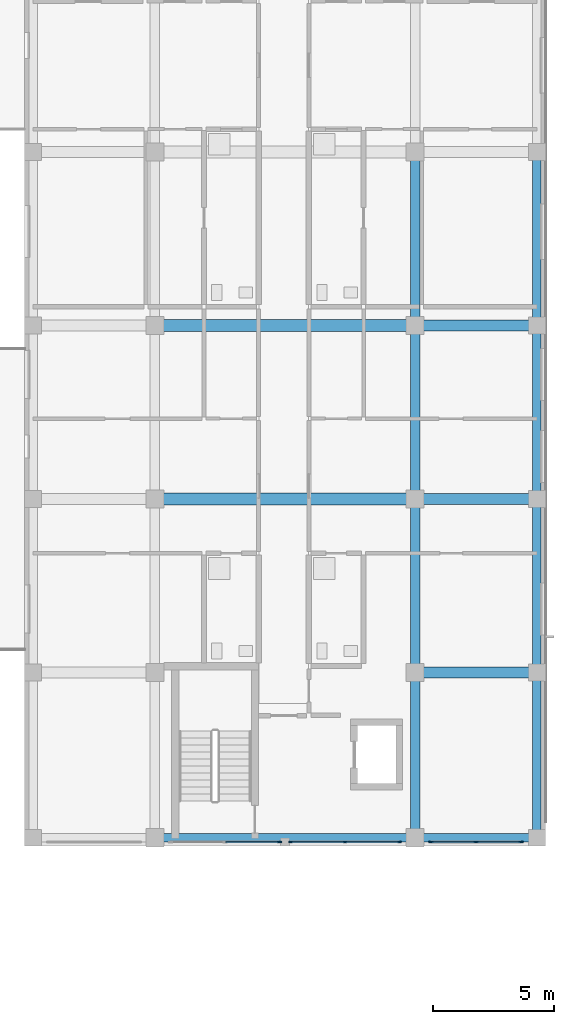
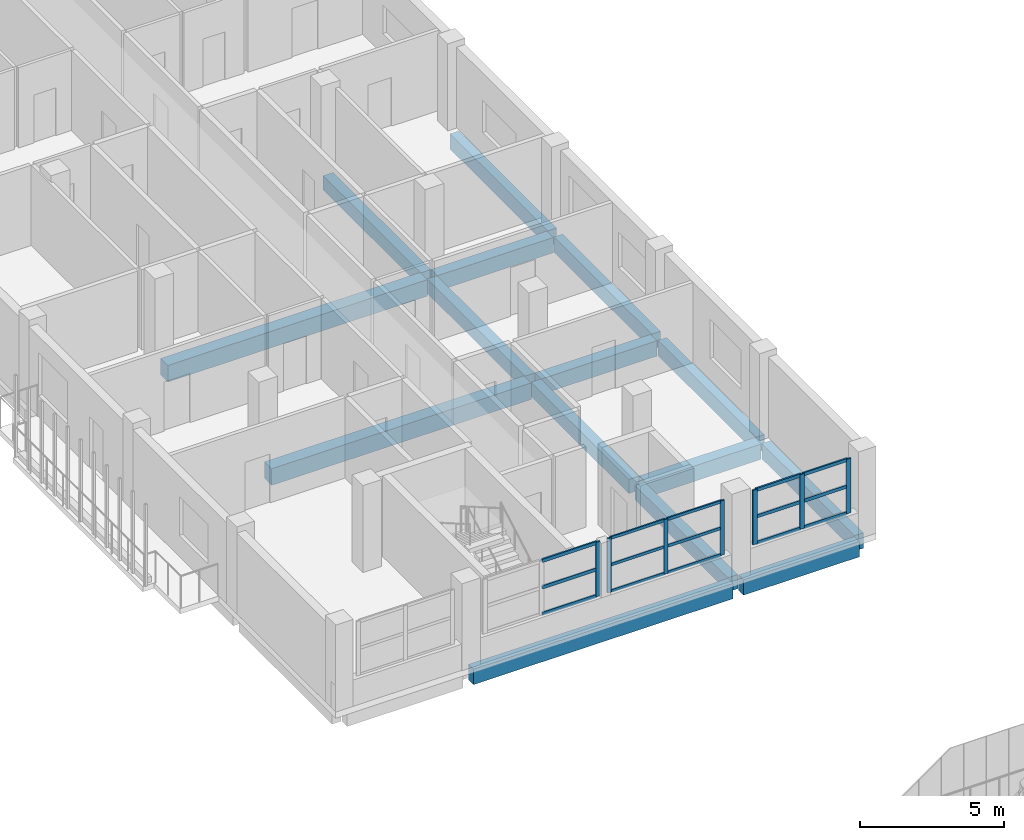
# One storey, part 26 of 73: 22 members, 15 beams, 3 elements without a shape of their own.
"""IFC4 building model written with IfcOpenShell, lengths in metres."""

from ifc_helpers import new_model, si_unit, derived_unit, direction, frame, origin, origin_2d, place, context, subcontext, project, spatial, rectangle, extrude, material, layer, layer_set, material_profile, profile_set, type_object, element, aggregate, save


model = new_model("IFC4")

# Units and contexts
model_context = context("Model", 3, precision=1e-05, world=origin(), true_north=direction((0.0, 1.0)))
body_context = subcontext(model_context, "Body", "Model", "MODEL_VIEW")
ifc_project = project(units=[si_unit("LENGTHUNIT", "METRE"), si_unit("AREAUNIT", "SQUARE_METRE"), si_unit("VOLUMEUNIT", "CUBIC_METRE"), si_unit("PLANEANGLEUNIT", "RADIAN"), si_unit("MASSUNIT", "GRAM", prefix="KILO"), derived_unit("THERMALTRANSMITTANCEUNIT", [(si_unit("MASSUNIT", "GRAM", prefix="KILO"), 1), (si_unit("TIMEUNIT", "SECOND"), -3), (si_unit("THERMODYNAMICTEMPERATUREUNIT", "KELVIN"), -1)])], contexts=[model_context])

# Site, building, storey
site_placement = place(None, origin())
site = spatial("IfcSite", under=ifc_project, at=site_placement, CompositionType="ELEMENT")
building_placement = place(site_placement, origin())
building = spatial("IfcBuilding", under=site, at=building_placement, Name="Ochrekiln Boulevard Commons", CompositionType="ELEMENT")
storey_placement = place(building_placement, frame((0.0, 0.0, 4.89990234375)))
storey = spatial("IfcBuildingStorey", under=building, at=storey_placement, Name="L01", CompositionType="ELEMENT", Elevation=4.89990234375)

# Beams
ifc_material_1 = material(Name="Concrete C35/45", Category="concrete")
ifc_material_profile_1 = material_profile(ifc_material_1, rectangle(XDim=0.39990234375, YDim=0.60009765625, at=origin_2d()), Name="RC-BM-400x600")
ifc_profile_set_1 = profile_set([ifc_material_profile_1], Name="Concrete C35/45")
beam_type_1 = type_object("IfcBeamType", Name="BM-RC-400x600", PredefinedType="BEAM", material=ifc_profile_set_1)
beam_1_placement = place(storey_placement, frame((167.39990234375, 68.9599609375, -0.559814453125), z_axis=(0.0, 1.0, 0.0), x_axis=(-1.0, 0.0, 0.0)))
element("IfcBeam", 1, at=beam_1_placement, inside=storey, type_object=beam_type_1, Name="Block B L01 Beam B-4060 Y37", PredefinedType="BEAM", context=body_context, shape_type="SweptSolid", body=[
    extrude(rectangle(XDim=0.39990234375, YDim=0.60009765625, at=origin_2d()), origin(), (0.0, 0.0, 1.0), 6.429931640625),
])
for number, where, z_axis, x_axis, name in (
    (2, (167.39990234375, 75.81005859375, -0.559814453125), (0.0, 1.0, 0.0), (-1.0, 0.0, 0.0), "Block B L01 Beam B-4060 Y38"),
    (3, (167.39990234375, 83.010009765625, -0.559814453125), (0.0, 1.0, 0.0), (-1.0, 0.0, 0.0), "Block B L01 Beam B-4060 Y39"),
    (4, (167.39990234375, 90.2099609375, -0.559814453125), (0.0, 1.0, 0.0), (-1.0, 0.0, 0.0), "Block B L01 Beam B-4060 Y40"),
):
    element("IfcBeam", number, at=place(storey_placement, frame(where, z_axis=z_axis, x_axis=x_axis)), inside=storey, type_object=beam_type_1, Name=name, PredefinedType="BEAM", context=body_context, shape_type="SweptSolid", body=[
        extrude(rectangle(XDim=0.39990234375, YDim=0.60009765625, at=origin_2d()), origin(), (0.0, 0.0, 1.0), 6.780029296875),
    ])
ifc_material_profile_2 = material_profile(ifc_material_1, rectangle(XDim=0.449951171875, YDim=0.64990234375, at=origin_2d()), Name="RC-BM-450x650")
ifc_profile_set_2 = profile_set([ifc_material_profile_2], Name="Concrete C35/45")
beam_type_2 = type_object("IfcBeamType", Name="BM-RC-450x650", PredefinedType="BEAM", material=ifc_profile_set_2)
for number, where, z_axis, x_axis, name in (
    (5, (167.610107421875, 75.60009765625, -0.5849609375), (1.0, 0.0, 0.0), (0.0, 1.0, 0.0), "Block B L01 Beam B-4565 X5"),
    (6, (167.610107421875, 82.800048828125, -0.5849609375), (1.0, 0.0, 0.0), (0.0, 1.0, 0.0), "Block B L01 Beam B-4565 X8"),
    (7, (167.610107421875, 90.0, -0.5849609375), (1.0, 0.0, 0.0), (0.0, 1.0, 0.0), "Block B L01 Beam B-4565 X11"),
):
    element("IfcBeam", number, at=place(storey_placement, frame(where, z_axis=z_axis, x_axis=x_axis)), inside=storey, type_object=beam_type_2, Name=name, PredefinedType="BEAM", context=body_context, shape_type="SweptSolid", body=[
        extrude(rectangle(XDim=0.449951171875, YDim=0.64990234375, at=origin_2d()), origin(), (0.0, 0.0, 1.0), 4.6298828125),
    ])
ifc_material_2 = material(Name="Concrete C40/50", Category="concrete")
ifc_material_profile_3 = material_profile(ifc_material_2, rectangle(XDim=0.5, YDim=0.699951171875, at=origin_2d()), Name="RC-BM-500x700")
ifc_profile_set_3 = profile_set([ifc_material_profile_3], Name="Concrete C40/50")
beam_type_3 = type_object("IfcBeamType", Name="BM-RC-500x700", PredefinedType="BEAM", material=ifc_profile_set_3)
for number, where, z_axis, x_axis, name in (
    (8, (156.81005859375, 82.800048828125, -0.60986328125), (1.0, 0.0, 0.0), (0.0, 1.0, 0.0), "Block B L01 Beam B-5070 X7"),
    (9, (156.81005859375, 90.0, -0.60986328125), (1.0, 0.0, 0.0), (0.0, 1.0, 0.0), "Block B L01 Beam B-5070 X10"),
):
    element("IfcBeam", number, at=place(storey_placement, frame(where, z_axis=z_axis, x_axis=x_axis)), inside=storey, type_object=beam_type_3, Name=name, PredefinedType="BEAM", context=body_context, shape_type="SweptSolid", body=[
        extrude(rectangle(XDim=0.5, YDim=0.699951171875, at=origin_2d()), origin(), (0.0, 0.0, 1.0), 10.3798828125),
    ])

# Curtain wall, members
ifc_material_3 = material(Name="Bronze-anodized extruded aluminium 6063-T6", Category="aluminium")
ifc_layer = layer(ifc_material_3, 0.18408203125)
ifc_layer_set = layer_set([ifc_layer], Name="Bronze-anodized extruded aluminium 6063-T6")
curtain_wall_type = type_object("IfcCurtainWallType", Name="CW-GABLE-B", PredefinedType="USERDEFINED", material=ifc_layer_set)
curtain_wall_1_placement = place(storey_placement, origin())
curtain_wall_1 = element("IfcCurtainWall", 10, at=curtain_wall_1_placement, inside=storey, type_object=curtain_wall_type, Name="Block B L01 Courtyard Glazed Gable Curtain Wall 3", ObjectType="GLAZED CURTAIN WALL", PredefinedType="USERDEFINED")
ifc_material_profile_4 = material_profile(ifc_material_3, rectangle(XDim=0.06005859375, YDim=0.159912109375, at=origin_2d()), Name="ALU-MUL-60x160")
ifc_profile_set_4 = profile_set([ifc_material_profile_4], Name="Bronze-anodized extruded aluminium 6063-T6")
member_type_1 = type_object("IfcMemberType", Name="CWM-60x160", PredefinedType="MULLION", material=ifc_profile_set_4)
member_1_placement = place(storey_placement, frame((162.22998046875, 68.570068359375, 1.110107421875), z_axis=(0.0, 0.0, 1.0), x_axis=(0.0, 1.0, 0.0)))
member_1 = element("IfcMember", 11, at=member_1_placement, type_object=member_type_1, Name="CW-02 mullion 1", PredefinedType="MULLION", context=body_context, shape_type="SweptSolid", body=[
    extrude(rectangle(XDim=0.06005859375, YDim=0.159912109375, at=origin_2d()), origin(), (0.0, 0.0, 1.0), 2.304931640625),
])
member_2_placement = place(storey_placement, frame((164.489990234375, 68.570068359375, 1.110107421875), z_axis=(0.0, 0.0, 1.0), x_axis=(0.0, 1.0, 0.0)))
member_2 = element("IfcMember", 12, at=member_2_placement, type_object=member_type_1, Name="CW-02 mullion 2", PredefinedType="MULLION", context=body_context, shape_type="SweptSolid", body=[
    extrude(rectangle(XDim=0.06005859375, YDim=0.159912109375, at=origin_2d()), origin(), (0.0, 0.0, 1.0), 2.304931640625),
])
member_3_placement = place(storey_placement, frame((166.75, 68.570068359375, 1.110107421875), z_axis=(0.0, 0.0, 1.0), x_axis=(0.0, 1.0, 0.0)))
member_3 = element("IfcMember", 13, at=member_3_placement, type_object=member_type_1, Name="CW-02 mullion 3", PredefinedType="MULLION", context=body_context, shape_type="SweptSolid", body=[
    extrude(rectangle(XDim=0.06005859375, YDim=0.159912109375, at=origin_2d()), origin(), (0.0, 0.0, 1.0), 2.304931640625),
])

# Curtain wall, member
curtain_wall_2_placement = place(storey_placement, origin())
curtain_wall_2 = element("IfcCurtainWall", 14, at=curtain_wall_2_placement, inside=storey, type_object=curtain_wall_type, Name="Block B L01 Courtyard Glazed Gable Curtain Wall 2", ObjectType="GLAZED CURTAIN WALL", PredefinedType="USERDEFINED")
ifc_material_profile_5 = material_profile(ifc_material_3, rectangle(XDim=0.06494140625, YDim=0.179931640625, at=origin_2d()), Name="ALU-MUL-65x180")
ifc_profile_set_5 = profile_set([ifc_material_profile_5], Name="Bronze-anodized extruded aluminium 6063-T6")
member_type_2 = type_object("IfcMemberType", Name="CWM-65x180", PredefinedType="MULLION", material=ifc_profile_set_5)
member_4_placement = place(storey_placement, frame((161.767578125, 68.570068359375, 1.110107421875), z_axis=(0.0, 0.0, 1.0), x_axis=(0.0, 1.0, 0.0)))
member_4 = element("IfcMember", 15, at=member_4_placement, type_object=member_type_2, Name="CW-02 mullion 3", PredefinedType="MULLION", context=body_context, shape_type="SweptSolid", body=[
    extrude(rectangle(XDim=0.06494140625, YDim=0.179931640625, at=origin_2d()), origin(), (0.0, 0.0, 1.0), 2.304931640625),
])

# Curtain wall, members
curtain_wall_3_placement = place(storey_placement, origin())
curtain_wall_3 = element("IfcCurtainWall", 16, at=curtain_wall_3_placement, inside=storey, type_object=curtain_wall_type, Name="Block B L01 Courtyard Glazed Gable Curtain Wall 4", ObjectType="GLAZED CURTAIN WALL", PredefinedType="USERDEFINED")
member_5_placement = place(storey_placement, frame((168.052490234375, 68.570068359375, 1.110107421875), z_axis=(0.0, 0.0, 1.0), x_axis=(0.0, 1.0, 0.0)))
member_5 = element("IfcMember", 17, at=member_5_placement, type_object=member_type_2, Name="CW-02 mullion 1", PredefinedType="MULLION", context=body_context, shape_type="SweptSolid", body=[
    extrude(rectangle(XDim=0.06494140625, YDim=0.179931640625, at=origin_2d()), origin(), (0.0, 0.0, 1.0), 2.304931640625),
])
member_6_placement = place(storey_placement, frame((169.925048828125, 68.570068359375, 1.110107421875), z_axis=(0.0, 0.0, 1.0), x_axis=(0.0, 1.0, 0.0)))
member_6 = element("IfcMember", 18, at=member_6_placement, type_object=member_type_2, Name="CW-02 mullion 2", PredefinedType="MULLION", context=body_context, shape_type="SweptSolid", body=[
    extrude(rectangle(XDim=0.06494140625, YDim=0.179931640625, at=origin_2d()), origin(), (0.0, 0.0, 1.0), 2.304931640625),
])
member_7_placement = place(storey_placement, frame((171.797607421875, 68.570068359375, 1.110107421875), z_axis=(0.0, 0.0, 1.0), x_axis=(0.0, 1.0, 0.0)))
member_7 = element("IfcMember", 19, at=member_7_placement, type_object=member_type_2, Name="CW-02 mullion 3", PredefinedType="MULLION", context=body_context, shape_type="SweptSolid", body=[
    extrude(rectangle(XDim=0.06494140625, YDim=0.179931640625, at=origin_2d()), origin(), (0.0, 0.0, 1.0), 2.304931640625),
])

# Member
ifc_material_profile_6 = material_profile(ifc_material_3, rectangle(XDim=0.06005859375, YDim=0.1201171875, at=origin_2d()), Name="ALU-TRN-60x120")
ifc_profile_set_6 = profile_set([ifc_material_profile_6], Name="Bronze-anodized extruded aluminium 6063-T6")
member_type_3 = type_object("IfcMemberType", Name="CWT-60x120", PredefinedType="USERDEFINED", material=ifc_profile_set_6)
member_8_placement = place(storey_placement, frame((162.260009765625, 68.570068359375, 1.14013671875), z_axis=(1.0, 0.0, 0.0), x_axis=(0.0, 1.0, 0.0)))
member_8 = element("IfcMember", 20, at=member_8_placement, type_object=member_type_3, Name="CW-02 transom 1.1", ObjectType="TRANSOM", PredefinedType="USERDEFINED", context=body_context, shape_type="SweptSolid", body=[
    extrude(rectangle(XDim=0.06005859375, YDim=0.1201171875, at=origin_2d()), origin(), (0.0, 0.0, 1.0), 2.199951171875),
])

member_9_placement = place(storey_placement, frame((162.260009765625, 68.570068359375, 2.26220703125), z_axis=(1.0, 0.0, 0.0), x_axis=(0.0, 1.0, 0.0)))
member_9 = element("IfcMember", 21, at=member_9_placement, type_object=member_type_3, Name="CW-02 transom 1.2", ObjectType="TRANSOM", PredefinedType="USERDEFINED", context=body_context, shape_type="SweptSolid", body=[
    extrude(rectangle(XDim=0.06005859375, YDim=0.1201171875, at=origin_2d()), origin(), (0.0, 0.0, 1.0), 2.199951171875),
])

member_10_placement = place(storey_placement, frame((162.260009765625, 68.570068359375, 3.385009765625), z_axis=(1.0, 0.0, 0.0), x_axis=(0.0, 1.0, 0.0)))
member_10 = element("IfcMember", 22, at=member_10_placement, type_object=member_type_3, Name="CW-02 transom 1.3", ObjectType="TRANSOM", PredefinedType="USERDEFINED", context=body_context, shape_type="SweptSolid", body=[
    extrude(rectangle(XDim=0.06005859375, YDim=0.1201171875, at=origin_2d()), origin(), (0.0, 0.0, 1.0), 2.199951171875),
])

member_11_placement = place(storey_placement, frame((164.52001953125, 68.570068359375, 1.14013671875), z_axis=(1.0, 0.0, 0.0), x_axis=(0.0, 1.0, 0.0)))
member_11 = element("IfcMember", 23, at=member_11_placement, type_object=member_type_3, Name="CW-02 transom 2.1", ObjectType="TRANSOM", PredefinedType="USERDEFINED", context=body_context, shape_type="SweptSolid", body=[
    extrude(rectangle(XDim=0.06005859375, YDim=0.1201171875, at=origin_2d()), origin(), (0.0, 0.0, 1.0), 2.199951171875),
])

member_12_placement = place(storey_placement, frame((164.52001953125, 68.570068359375, 2.26220703125), z_axis=(1.0, 0.0, 0.0), x_axis=(0.0, 1.0, 0.0)))
member_12 = element("IfcMember", 24, at=member_12_placement, type_object=member_type_3, Name="CW-02 transom 2.2", ObjectType="TRANSOM", PredefinedType="USERDEFINED", context=body_context, shape_type="SweptSolid", body=[
    extrude(rectangle(XDim=0.06005859375, YDim=0.1201171875, at=origin_2d()), origin(), (0.0, 0.0, 1.0), 2.199951171875),
])

member_13_placement = place(storey_placement, frame((164.52001953125, 68.570068359375, 3.385009765625), z_axis=(1.0, 0.0, 0.0), x_axis=(0.0, 1.0, 0.0)))
member_13 = element("IfcMember", 25, at=member_13_placement, type_object=member_type_3, Name="CW-02 transom 2.3", ObjectType="TRANSOM", PredefinedType="USERDEFINED", context=body_context, shape_type="SweptSolid", body=[
    extrude(rectangle(XDim=0.06005859375, YDim=0.1201171875, at=origin_2d()), origin(), (0.0, 0.0, 1.0), 2.199951171875),
])

aggregate(curtain_wall_1, [member_1, member_2, member_3, member_8, member_9, member_10, member_11, member_12, member_13])

ifc_material_profile_7 = material_profile(ifc_material_3, rectangle(XDim=0.06494140625, YDim=0.139892578125, at=origin_2d()), Name="ALU-TRN-65x140")
ifc_profile_set_7 = profile_set([ifc_material_profile_7], Name="Bronze-anodized extruded aluminium 6063-T6")
member_type_4 = type_object("IfcMemberType", Name="CWT-65x140", PredefinedType="USERDEFINED", material=ifc_profile_set_7)
member_14_placement = place(storey_placement, frame((159.54248046875, 68.570068359375, 1.142578125), z_axis=(1.0, 0.0, 0.0), x_axis=(0.0, 1.0, 0.0)))
member_14 = element("IfcMember", 26, at=member_14_placement, type_object=member_type_4, Name="CW-02 transom 2.1", ObjectType="TRANSOM", PredefinedType="USERDEFINED", context=body_context, shape_type="SweptSolid", body=[
    extrude(rectangle(XDim=0.06494140625, YDim=0.139892578125, at=origin_2d()), origin(), (0.0, 0.0, 1.0), 2.192626953125),
])

member_15_placement = place(storey_placement, frame((159.54248046875, 68.570068359375, 2.26220703125), z_axis=(1.0, 0.0, 0.0), x_axis=(0.0, 1.0, 0.0)))
member_15 = element("IfcMember", 27, at=member_15_placement, type_object=member_type_4, Name="CW-02 transom 2.2", ObjectType="TRANSOM", PredefinedType="USERDEFINED", context=body_context, shape_type="SweptSolid", body=[
    extrude(rectangle(XDim=0.06494140625, YDim=0.139892578125, at=origin_2d()), origin(), (0.0, 0.0, 1.0), 2.192626953125),
])

member_16_placement = place(storey_placement, frame((159.54248046875, 68.570068359375, 3.382568359375), z_axis=(1.0, 0.0, 0.0), x_axis=(0.0, 1.0, 0.0)))
member_16 = element("IfcMember", 28, at=member_16_placement, type_object=member_type_4, Name="CW-02 transom 2.3", ObjectType="TRANSOM", PredefinedType="USERDEFINED", context=body_context, shape_type="SweptSolid", body=[
    extrude(rectangle(XDim=0.06494140625, YDim=0.139892578125, at=origin_2d()), origin(), (0.0, 0.0, 1.0), 2.192626953125),
])

aggregate(curtain_wall_2, [member_4, member_14, member_15, member_16])

member_17_placement = place(storey_placement, frame((168.0849609375, 68.570068359375, 1.142578125), z_axis=(1.0, 0.0, 0.0), x_axis=(0.0, 1.0, 0.0)))
member_17 = element("IfcMember", 29, at=member_17_placement, type_object=member_type_4, Name="CW-02 transom 1.1", ObjectType="TRANSOM", PredefinedType="USERDEFINED", context=body_context, shape_type="SweptSolid", body=[
    extrude(rectangle(XDim=0.06494140625, YDim=0.139892578125, at=origin_2d()), origin(), (0.0, 0.0, 1.0), 1.8076171875),
])

member_18_placement = place(storey_placement, frame((168.0849609375, 68.570068359375, 2.26220703125), z_axis=(1.0, 0.0, 0.0), x_axis=(0.0, 1.0, 0.0)))
member_18 = element("IfcMember", 30, at=member_18_placement, type_object=member_type_4, Name="CW-02 transom 1.2", ObjectType="TRANSOM", PredefinedType="USERDEFINED", context=body_context, shape_type="SweptSolid", body=[
    extrude(rectangle(XDim=0.06494140625, YDim=0.139892578125, at=origin_2d()), origin(), (0.0, 0.0, 1.0), 1.8076171875),
])

member_19_placement = place(storey_placement, frame((168.0849609375, 68.570068359375, 3.382568359375), z_axis=(1.0, 0.0, 0.0), x_axis=(0.0, 1.0, 0.0)))
member_19 = element("IfcMember", 31, at=member_19_placement, type_object=member_type_4, Name="CW-02 transom 1.3", ObjectType="TRANSOM", PredefinedType="USERDEFINED", context=body_context, shape_type="SweptSolid", body=[
    extrude(rectangle(XDim=0.06494140625, YDim=0.139892578125, at=origin_2d()), origin(), (0.0, 0.0, 1.0), 1.8076171875),
])

member_20_placement = place(storey_placement, frame((169.95751953125, 68.570068359375, 1.142578125), z_axis=(1.0, 0.0, 0.0), x_axis=(0.0, 1.0, 0.0)))
member_20 = element("IfcMember", 32, at=member_20_placement, type_object=member_type_4, Name="CW-02 transom 2.1", ObjectType="TRANSOM", PredefinedType="USERDEFINED", context=body_context, shape_type="SweptSolid", body=[
    extrude(rectangle(XDim=0.06494140625, YDim=0.139892578125, at=origin_2d()), origin(), (0.0, 0.0, 1.0), 1.807373046875),
])

member_21_placement = place(storey_placement, frame((169.95751953125, 68.570068359375, 2.26220703125), z_axis=(1.0, 0.0, 0.0), x_axis=(0.0, 1.0, 0.0)))
member_21 = element("IfcMember", 33, at=member_21_placement, type_object=member_type_4, Name="CW-02 transom 2.2", ObjectType="TRANSOM", PredefinedType="USERDEFINED", context=body_context, shape_type="SweptSolid", body=[
    extrude(rectangle(XDim=0.06494140625, YDim=0.139892578125, at=origin_2d()), origin(), (0.0, 0.0, 1.0), 1.807373046875),
])

member_22_placement = place(storey_placement, frame((169.95751953125, 68.570068359375, 3.382568359375), z_axis=(1.0, 0.0, 0.0), x_axis=(0.0, 1.0, 0.0)))
member_22 = element("IfcMember", 34, at=member_22_placement, type_object=member_type_4, Name="CW-02 transom 2.3", ObjectType="TRANSOM", PredefinedType="USERDEFINED", context=body_context, shape_type="SweptSolid", body=[
    extrude(rectangle(XDim=0.06494140625, YDim=0.139892578125, at=origin_2d()), origin(), (0.0, 0.0, 1.0), 1.807373046875),
])

aggregate(curtain_wall_3, [member_5, member_6, member_7, member_17, member_18, member_19, member_20, member_21, member_22])

# Beams
ifc_material_profile_8 = material_profile(ifc_material_2, rectangle(XDim=0.35009765625, YDim=0.64990234375, at=origin_2d()), Name="RC-SPN-350x650")
ifc_profile_set_8 = profile_set([ifc_material_profile_8], Name="Concrete C40/50")
beam_type_4 = type_object("IfcBeamType", Name="SPN-RC-350x650", PredefinedType="SPANDREL", material=ifc_profile_set_8)
beam_2_placement = place(storey_placement, frame((156.81005859375, 68.75, -0.5849609375), z_axis=(1.0, 0.0, 0.0), x_axis=(0.0, 1.0, 0.0)))
element("IfcBeam", 35, at=beam_2_placement, inside=storey, type_object=beam_type_4, Name="Block B L01 Beam SP-3565 X2", PredefinedType="SPANDREL", context=body_context, shape_type="SweptSolid", body=[
    extrude(rectangle(XDim=0.35009765625, YDim=0.64990234375, at=origin_2d()), origin(), (0.0, 0.0, 1.0), 10.3798828125),
])
beam_3_placement = place(storey_placement, frame((167.610107421875, 68.75, -0.5849609375), z_axis=(1.0, 0.0, 0.0), x_axis=(0.0, 1.0, 0.0)))
element("IfcBeam", 36, at=beam_3_placement, inside=storey, type_object=beam_type_4, Name="Block B L01 Beam SP-3565 X3", PredefinedType="SPANDREL", context=body_context, shape_type="SweptSolid", body=[
    extrude(rectangle(XDim=0.35009765625, YDim=0.64990234375, at=origin_2d()), origin(), (0.0, 0.0, 1.0), 4.6298828125),
])
beam_4_placement = place(storey_placement, frame((172.449951171875, 68.9599609375, -0.5849609375), z_axis=(0.0, 1.0, 0.0), x_axis=(-1.0, 0.0, 0.0)))
element("IfcBeam", 37, at=beam_4_placement, inside=storey, type_object=beam_type_4, Name="Block B L01 Beam SP-3565 Y44", PredefinedType="SPANDREL", context=body_context, shape_type="SweptSolid", body=[
    extrude(rectangle(XDim=0.35009765625, YDim=0.64990234375, at=origin_2d()), origin(), (0.0, 0.0, 1.0), 6.429931640625),
])
for number, where, z_axis, x_axis, name in (
    (38, (172.449951171875, 75.81005859375, -0.5849609375), (0.0, 1.0, 0.0), (-1.0, 0.0, 0.0), "Block B L01 Beam SP-3565 Y45"),
    (39, (172.449951171875, 83.010009765625, -0.5849609375), (0.0, 1.0, 0.0), (-1.0, 0.0, 0.0), "Block B L01 Beam SP-3565 Y46"),
    (40, (172.449951171875, 90.2099609375, -0.5849609375), (0.0, 1.0, 0.0), (-1.0, 0.0, 0.0), "Block B L01 Beam SP-3565 Y47"),
):
    element("IfcBeam", number, at=place(storey_placement, frame(where, z_axis=z_axis, x_axis=x_axis)), inside=storey, type_object=beam_type_4, Name=name, PredefinedType="SPANDREL", context=body_context, shape_type="SweptSolid", body=[
        extrude(rectangle(XDim=0.35009765625, YDim=0.64990234375, at=origin_2d()), origin(), (0.0, 0.0, 1.0), 6.780029296875),
    ])

save(model, "model.ifc")
